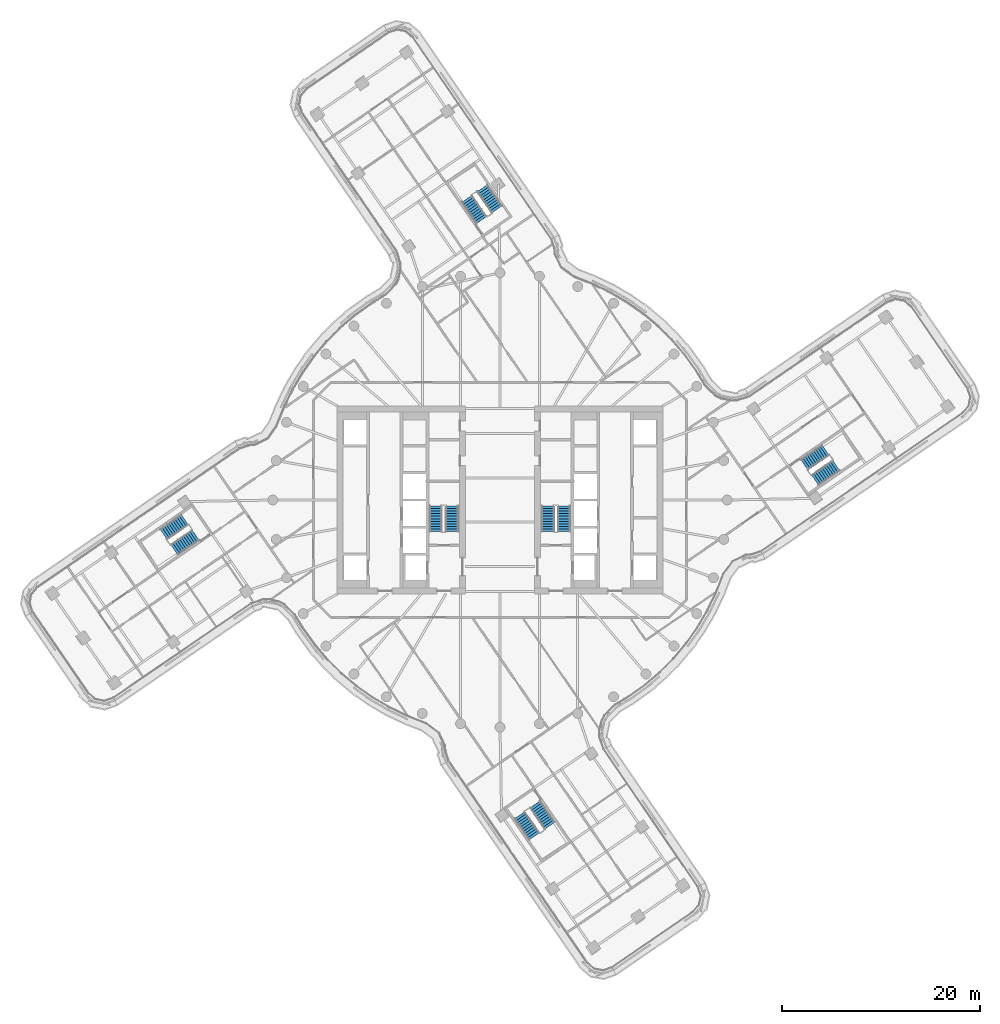
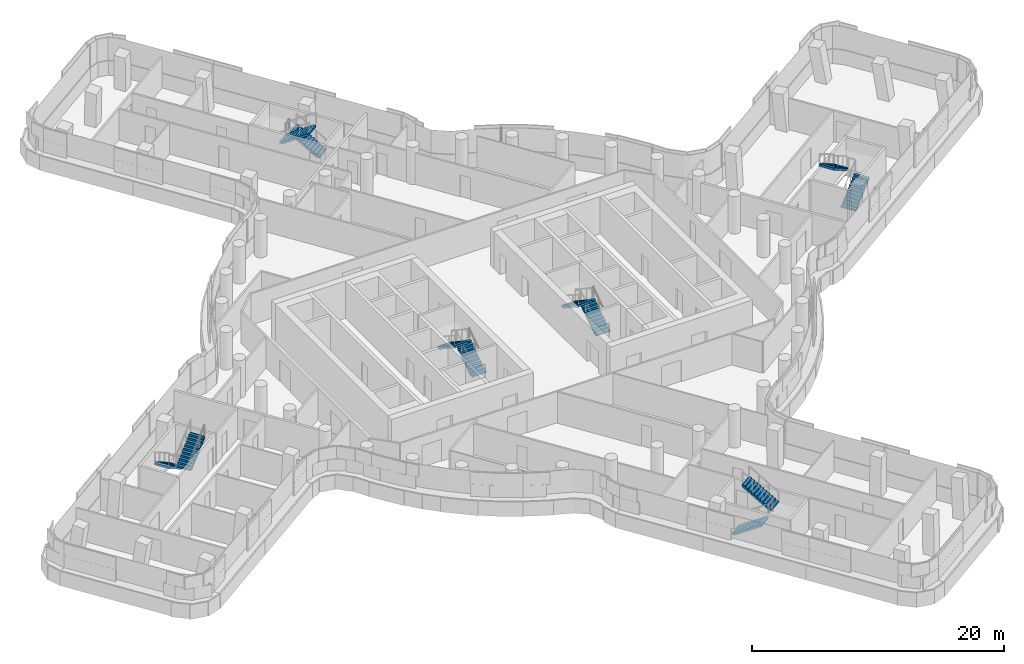
# One storey, part 26 of 33: 12 stair flights, 6 elements without a shape of their own.
"""IFC4 building model written with IfcOpenShell, lengths in metres."""

from ifc_helpers import new_model, si_unit, direction, frame, origin, place, context, subcontext, project, spatial, polyline, outline, extrude, material, type_object, element, aggregate, save


model = new_model("IFC4")

# Units and contexts
model_context = context("Model", 3, precision=1e-05, world=origin(), true_north=direction((0.0, 1.0)))
body_context = subcontext(model_context, "Body", "Model", "MODEL_VIEW")
ifc_project = project(units=[si_unit("LENGTHUNIT", "METRE"), si_unit("AREAUNIT", "SQUARE_METRE"), si_unit("VOLUMEUNIT", "CUBIC_METRE"), si_unit("PLANEANGLEUNIT", "RADIAN"), si_unit("MASSUNIT", "GRAM", prefix="KILO")], contexts=[model_context])

# Site, building, storey
site_placement = place(None, origin())
site = spatial("IfcSite", under=ifc_project, at=site_placement, CompositionType="ELEMENT")
building_placement = place(site_placement, origin())
building = spatial("IfcBuilding", under=site, at=building_placement, Name="Tamarind Cross Interchange Tower", CompositionType="ELEMENT")
storey_placement = place(building_placement, frame((0.0, 0.0, 159.25)))
storey = spatial("IfcBuildingStorey", under=building, at=storey_placement, Name="L39", CompositionType="ELEMENT", Elevation=159.25)

# Stair, stair flights
ifc_material_1 = material(Name="Exit stair")
stair_type = type_object("IfcStairType", Name="Exit stair", PredefinedType="HALF_TURN_STAIR", material=ifc_material_1)
stair_1_placement = place(storey_placement, origin())
stair_1 = element("IfcStair", 1, at=stair_1_placement, inside=storey, type_object=stair_type, Name="L39 exit stair ST1", PredefinedType="HALF_TURN_STAIR")
ifc_material_2 = material(Name="Exit stair flight")
stair_flight_type = type_object("IfcStairFlightType", Name="Exit stair flight", PredefinedType="STRAIGHT", material=ifc_material_2)
stair_flight_1_placement = place(storey_placement, frame((-4.85009765625, -3.199951171875, 0.0), z_axis=(0.0, 0.0, 1.0), x_axis=(0.0, 1.0, 0.0)))
stair_flight_1 = element("IfcStairFlight", 2, at=stair_flight_1_placement, type_object=stair_flight_type, Name="ST1 flight 1", NumberOfRisers=11, NumberOfTreads=10, PredefinedType="STRAIGHT", RiserHeight=0.170454545, TreadLength=0.26, context=body_context, shape_type="SweptSolid", body=[
    extrude(outline(polyline([(0.0, 0.0), (0.0, 0.17041015625), (0.260009765625, 0.17041015625), (0.260009765625, 0.3408203125), (0.52001953125, 0.3408203125), (0.52001953125, 0.511474609375), (0.780029296875, 0.511474609375), (0.780029296875, 0.681884765625), (1.0400390625, 0.681884765625), (1.0400390625, 0.852294921875), (1.300048828125, 0.852294921875), (1.300048828125, 1.022705078125), (1.56005859375, 1.022705078125), (1.56005859375, 1.193115234375), (1.820068359375, 1.193115234375), (1.820068359375, 1.363525390625), (2.080078125, 1.363525390625), (2.080078125, 1.5341796875), (2.340087890625, 1.5341796875), (2.340087890625, 1.70458984375), (2.60009765625, 1.70458984375), (2.60009765625, 1.875), (2.60009765625, 1.525390625), (0.2734375, 0.0), (0.0, 0.0)])), frame((0.0, 0.64990234375, 0.0), z_axis=(0.0, -1.0, 0.0), x_axis=(1.0, 0.0, 0.0)), (0.0, 0.0, 1.0), 1.300048828125),
])
stair_flight_2_placement = place(storey_placement, frame((-6.5, -0.60009765625, 1.875), z_axis=(0.0, 0.0, 1.0), x_axis=(0.0, -1.0, 0.0)))
stair_flight_2 = element("IfcStairFlight", 3, at=stair_flight_2_placement, type_object=stair_flight_type, Name="ST1 flight 2", NumberOfRisers=11, NumberOfTreads=10, PredefinedType="STRAIGHT", RiserHeight=0.170454545, TreadLength=0.26, context=body_context, shape_type="SweptSolid", body=[
    extrude(outline(polyline([(0.0, 0.0), (0.0, 0.17041015625), (0.260009765625, 0.17041015625), (0.260009765625, 0.3408203125), (0.52001953125, 0.3408203125), (0.52001953125, 0.511474609375), (0.780029296875, 0.511474609375), (0.780029296875, 0.681884765625), (1.0400390625, 0.681884765625), (1.0400390625, 0.852294921875), (1.300048828125, 0.852294921875), (1.300048828125, 1.022705078125), (1.56005859375, 1.022705078125), (1.56005859375, 1.193115234375), (1.820068359375, 1.193115234375), (1.820068359375, 1.363525390625), (2.080078125, 1.363525390625), (2.080078125, 1.5341796875), (2.340087890625, 1.5341796875), (2.340087890625, 1.70458984375), (2.60009765625, 1.70458984375), (2.60009765625, 1.7548828125), (2.612060546875, 1.7548828125), (2.612060546875, 1.533203125), (0.2734375, 0.0), (0.0, 0.0)])), frame((0.0, 0.64990234375, 0.0), z_axis=(0.0, -1.0, 0.0), x_axis=(1.0, 0.0, 0.0)), (0.0, 0.0, 1.0), 1.300048828125),
])
aggregate(stair_1, [stair_flight_1, stair_flight_2])

stair_2_placement = place(storey_placement, origin())
stair_2 = element("IfcStair", 4, at=stair_2_placement, inside=storey, type_object=stair_type, Name="L39 exit stair ST2", PredefinedType="HALF_TURN_STAIR")
stair_flight_3_placement = place(storey_placement, frame((6.5, -3.199951171875, 0.0), z_axis=(0.0, 0.0, 1.0), x_axis=(0.0, 1.0, 0.0)))
stair_flight_3 = element("IfcStairFlight", 5, at=stair_flight_3_placement, type_object=stair_flight_type, Name="ST2 flight 1", NumberOfRisers=11, NumberOfTreads=10, PredefinedType="STRAIGHT", RiserHeight=0.170454545, TreadLength=0.26, context=body_context, shape_type="SweptSolid", body=[
    extrude(outline(polyline([(0.0, 0.0), (0.0, 0.17041015625), (0.260009765625, 0.17041015625), (0.260009765625, 0.3408203125), (0.52001953125, 0.3408203125), (0.52001953125, 0.511474609375), (0.780029296875, 0.511474609375), (0.780029296875, 0.681884765625), (1.0400390625, 0.681884765625), (1.0400390625, 0.852294921875), (1.300048828125, 0.852294921875), (1.300048828125, 1.022705078125), (1.56005859375, 1.022705078125), (1.56005859375, 1.193115234375), (1.820068359375, 1.193115234375), (1.820068359375, 1.363525390625), (2.080078125, 1.363525390625), (2.080078125, 1.5341796875), (2.340087890625, 1.5341796875), (2.340087890625, 1.70458984375), (2.60009765625, 1.70458984375), (2.60009765625, 1.875), (2.60009765625, 1.525390625), (0.2734375, 0.0), (0.0, 0.0)])), frame((0.0, 0.64990234375, 0.0), z_axis=(0.0, -1.0, 0.0), x_axis=(1.0, 0.0, 0.0)), (0.0, 0.0, 1.0), 1.300048828125),
])
stair_flight_4_placement = place(storey_placement, frame((4.85009765625, -0.60009765625, 1.875), z_axis=(0.0, 0.0, 1.0), x_axis=(0.0, -1.0, 0.0)))
stair_flight_4 = element("IfcStairFlight", 6, at=stair_flight_4_placement, type_object=stair_flight_type, Name="ST2 flight 2", NumberOfRisers=11, NumberOfTreads=10, PredefinedType="STRAIGHT", RiserHeight=0.170454545, TreadLength=0.26, context=body_context, shape_type="SweptSolid", body=[
    extrude(outline(polyline([(0.0, 0.0), (0.0, 0.17041015625), (0.260009765625, 0.17041015625), (0.260009765625, 0.3408203125), (0.52001953125, 0.3408203125), (0.52001953125, 0.511474609375), (0.780029296875, 0.511474609375), (0.780029296875, 0.681884765625), (1.0400390625, 0.681884765625), (1.0400390625, 0.852294921875), (1.300048828125, 0.852294921875), (1.300048828125, 1.022705078125), (1.56005859375, 1.022705078125), (1.56005859375, 1.193115234375), (1.820068359375, 1.193115234375), (1.820068359375, 1.363525390625), (2.080078125, 1.363525390625), (2.080078125, 1.5341796875), (2.340087890625, 1.5341796875), (2.340087890625, 1.70458984375), (2.60009765625, 1.70458984375), (2.60009765625, 1.7548828125), (2.612060546875, 1.7548828125), (2.612060546875, 1.533203125), (0.2734375, 0.0), (0.0, 0.0)])), frame((0.0, 0.64990234375, 0.0), z_axis=(0.0, -1.0, 0.0), x_axis=(1.0, 0.0, 0.0)), (0.0, 0.0, 1.0), 1.300048828125),
])
aggregate(stair_2, [stair_flight_3, stair_flight_4])

stair_3_placement = place(storey_placement, origin())
stair_3 = element("IfcStair", 7, at=stair_3_placement, inside=storey, type_object=stair_type, Name="L39 exit stair ST3", PredefinedType="HALF_TURN_STAIR")
stair_flight_5_placement = place(storey_placement, frame((31.90234375, 2.008544921875, 0.0), z_axis=(0.0, 0.0, 1.0), x_axis=(0.824339660174, 0.566095508429, 0.0)))
stair_flight_5 = element("IfcStairFlight", 8, at=stair_flight_5_placement, type_object=stair_flight_type, Name="ST3 flight 1", NumberOfRisers=11, NumberOfTreads=10, PredefinedType="STRAIGHT", RiserHeight=0.170454545, TreadLength=0.26, context=body_context, shape_type="SweptSolid", body=[
    extrude(outline(polyline([(0.0, 0.0), (0.0, 0.17041015625), (0.260009765625, 0.17041015625), (0.260009765625, 0.3408203125), (0.52001953125, 0.3408203125), (0.52001953125, 0.511474609375), (0.780029296875, 0.511474609375), (0.780029296875, 0.681884765625), (1.0400390625, 0.681884765625), (1.0400390625, 0.852294921875), (1.300048828125, 0.852294921875), (1.300048828125, 1.022705078125), (1.56005859375, 1.022705078125), (1.56005859375, 1.193115234375), (1.820068359375, 1.193115234375), (1.820068359375, 1.363525390625), (2.080078125, 1.363525390625), (2.080078125, 1.5341796875), (2.340087890625, 1.5341796875), (2.340087890625, 1.70458984375), (2.60009765625, 1.70458984375), (2.60009765625, 1.875), (2.60009765625, 1.525390625), (0.2734375, 0.0), (0.0, 0.0)])), frame((0.0, 0.64990234375, 0.0), z_axis=(0.0, -1.0, 0.0), x_axis=(1.0, 0.0, 0.0)), (0.0, 0.0, 1.0), 1.300048828125),
])
stair_flight_6_placement = place(storey_placement, frame((32.97021484375, 5.046630859375, 1.875), z_axis=(0.0, 0.0, 1.0), x_axis=(-0.824339660174, -0.566095508429, 0.0)))
stair_flight_6 = element("IfcStairFlight", 9, at=stair_flight_6_placement, type_object=stair_flight_type, Name="ST3 flight 2", NumberOfRisers=11, NumberOfTreads=10, PredefinedType="STRAIGHT", RiserHeight=0.170454545, TreadLength=0.26, context=body_context, shape_type="SweptSolid", body=[
    extrude(outline(polyline([(0.0, 0.0), (0.0, 0.17041015625), (0.260009765625, 0.17041015625), (0.260009765625, 0.3408203125), (0.52001953125, 0.3408203125), (0.52001953125, 0.511474609375), (0.780029296875, 0.511474609375), (0.780029296875, 0.681884765625), (1.0400390625, 0.681884765625), (1.0400390625, 0.852294921875), (1.300048828125, 0.852294921875), (1.300048828125, 1.022705078125), (1.56005859375, 1.022705078125), (1.56005859375, 1.193115234375), (1.820068359375, 1.193115234375), (1.820068359375, 1.363525390625), (2.080078125, 1.363525390625), (2.080078125, 1.5341796875), (2.340087890625, 1.5341796875), (2.340087890625, 1.70458984375), (2.60009765625, 1.70458984375), (2.60009765625, 1.7548828125), (2.612060546875, 1.7548828125), (2.612060546875, 1.533203125), (0.2734375, 0.0), (0.0, 0.0)])), frame((0.0, 0.64990234375, 0.0), z_axis=(0.0, -1.0, 0.0), x_axis=(1.0, 0.0, 0.0)), (0.0, 0.0, 1.0), 1.300048828125),
])
aggregate(stair_3, [stair_flight_5, stair_flight_6])

stair_4_placement = place(storey_placement, origin())
stair_4 = element("IfcStair", 10, at=stair_4_placement, inside=storey, type_object=stair_type, Name="L39 exit stair ST4", PredefinedType="HALF_TURN_STAIR")
stair_flight_7_placement = place(storey_placement, frame((-0.310302734375, 29.429443359375, 0.0), z_axis=(0.0, 0.0, 1.0), x_axis=(-0.566095508429, 0.824339660174, 0.0)))
stair_flight_7 = element("IfcStairFlight", 11, at=stair_flight_7_placement, type_object=stair_flight_type, Name="ST4 flight 1", NumberOfRisers=11, NumberOfTreads=10, PredefinedType="STRAIGHT", RiserHeight=0.170454545, TreadLength=0.26, context=body_context, shape_type="SweptSolid", body=[
    extrude(outline(polyline([(0.0, 0.0), (0.0, 0.17041015625), (0.260009765625, 0.17041015625), (0.260009765625, 0.3408203125), (0.52001953125, 0.3408203125), (0.52001953125, 0.511474609375), (0.780029296875, 0.511474609375), (0.780029296875, 0.681884765625), (1.0400390625, 0.681884765625), (1.0400390625, 0.852294921875), (1.300048828125, 0.852294921875), (1.300048828125, 1.022705078125), (1.56005859375, 1.022705078125), (1.56005859375, 1.193115234375), (1.820068359375, 1.193115234375), (1.820068359375, 1.363525390625), (2.080078125, 1.363525390625), (2.080078125, 1.5341796875), (2.340087890625, 1.5341796875), (2.340087890625, 1.70458984375), (2.60009765625, 1.70458984375), (2.60009765625, 1.875), (2.60009765625, 1.525390625), (0.2734375, 0.0), (0.0, 0.0)])), frame((0.0, 0.64990234375, 0.0), z_axis=(0.0, -1.0, 0.0), x_axis=(1.0, 0.0, 0.0)), (0.0, 0.0, 1.0), 1.300048828125),
])
stair_flight_8_placement = place(storey_placement, frame((-3.348388671875, 30.4970703125, 1.875), z_axis=(0.0, 0.0, 1.0), x_axis=(0.566095508429, -0.824339660174, 0.0)))
stair_flight_8 = element("IfcStairFlight", 12, at=stair_flight_8_placement, type_object=stair_flight_type, Name="ST4 flight 2", NumberOfRisers=11, NumberOfTreads=10, PredefinedType="STRAIGHT", RiserHeight=0.170454545, TreadLength=0.26, context=body_context, shape_type="SweptSolid", body=[
    extrude(outline(polyline([(0.0, 0.0), (0.0, 0.17041015625), (0.260009765625, 0.17041015625), (0.260009765625, 0.3408203125), (0.52001953125, 0.3408203125), (0.52001953125, 0.511474609375), (0.780029296875, 0.511474609375), (0.780029296875, 0.681884765625), (1.0400390625, 0.681884765625), (1.0400390625, 0.852294921875), (1.300048828125, 0.852294921875), (1.300048828125, 1.022705078125), (1.56005859375, 1.022705078125), (1.56005859375, 1.193115234375), (1.820068359375, 1.193115234375), (1.820068359375, 1.363525390625), (2.080078125, 1.363525390625), (2.080078125, 1.5341796875), (2.340087890625, 1.5341796875), (2.340087890625, 1.70458984375), (2.60009765625, 1.70458984375), (2.60009765625, 1.7548828125), (2.612060546875, 1.7548828125), (2.612060546875, 1.533203125), (0.2734375, 0.0), (0.0, 0.0)])), frame((0.0, 0.64990234375, 0.0), z_axis=(0.0, -1.0, 0.0), x_axis=(1.0, 0.0, 0.0)), (0.0, 0.0, 1.0), 1.300048828125),
])
aggregate(stair_4, [stair_flight_7, stair_flight_8])

stair_5_placement = place(storey_placement, origin())
stair_5 = element("IfcStair", 13, at=stair_5_placement, inside=storey, type_object=stair_type, Name="L39 exit stair ST5", PredefinedType="HALF_TURN_STAIR")
stair_flight_9_placement = place(storey_placement, frame((-31.90234375, -2.008544921875, 0.0), z_axis=(0.0, 0.0, 1.0), x_axis=(-0.824339660174, -0.566095508429, 0.0)))
stair_flight_9 = element("IfcStairFlight", 14, at=stair_flight_9_placement, type_object=stair_flight_type, Name="ST5 flight 1", NumberOfRisers=11, NumberOfTreads=10, PredefinedType="STRAIGHT", RiserHeight=0.170454545, TreadLength=0.26, context=body_context, shape_type="SweptSolid", body=[
    extrude(outline(polyline([(0.0, 0.0), (0.0, 0.17041015625), (0.260009765625, 0.17041015625), (0.260009765625, 0.3408203125), (0.52001953125, 0.3408203125), (0.52001953125, 0.511474609375), (0.780029296875, 0.511474609375), (0.780029296875, 0.681884765625), (1.0400390625, 0.681884765625), (1.0400390625, 0.852294921875), (1.300048828125, 0.852294921875), (1.300048828125, 1.022705078125), (1.56005859375, 1.022705078125), (1.56005859375, 1.193115234375), (1.820068359375, 1.193115234375), (1.820068359375, 1.363525390625), (2.080078125, 1.363525390625), (2.080078125, 1.5341796875), (2.340087890625, 1.5341796875), (2.340087890625, 1.70458984375), (2.60009765625, 1.70458984375), (2.60009765625, 1.875), (2.60009765625, 1.525390625), (0.2734375, 0.0), (0.0, 0.0)])), frame((0.0, 0.64990234375, 0.0), z_axis=(0.0, -1.0, 0.0), x_axis=(1.0, 0.0, 0.0)), (0.0, 0.0, 1.0), 1.300048828125),
])
stair_flight_10_placement = place(storey_placement, frame((-32.97021484375, -5.046630859375, 1.875), z_axis=(0.0, 0.0, 1.0), x_axis=(0.824339660174, 0.566095508429, 0.0)))
stair_flight_10 = element("IfcStairFlight", 15, at=stair_flight_10_placement, type_object=stair_flight_type, Name="ST5 flight 2", NumberOfRisers=11, NumberOfTreads=10, PredefinedType="STRAIGHT", RiserHeight=0.170454545, TreadLength=0.26, context=body_context, shape_type="SweptSolid", body=[
    extrude(outline(polyline([(0.0, 0.0), (0.0, 0.17041015625), (0.260009765625, 0.17041015625), (0.260009765625, 0.3408203125), (0.52001953125, 0.3408203125), (0.52001953125, 0.511474609375), (0.780029296875, 0.511474609375), (0.780029296875, 0.681884765625), (1.0400390625, 0.681884765625), (1.0400390625, 0.852294921875), (1.300048828125, 0.852294921875), (1.300048828125, 1.022705078125), (1.56005859375, 1.022705078125), (1.56005859375, 1.193115234375), (1.820068359375, 1.193115234375), (1.820068359375, 1.363525390625), (2.080078125, 1.363525390625), (2.080078125, 1.5341796875), (2.340087890625, 1.5341796875), (2.340087890625, 1.70458984375), (2.60009765625, 1.70458984375), (2.60009765625, 1.7548828125), (2.612060546875, 1.7548828125), (2.612060546875, 1.533203125), (0.2734375, 0.0), (0.0, 0.0)])), frame((0.0, 0.64990234375, 0.0), z_axis=(0.0, -1.0, 0.0), x_axis=(1.0, 0.0, 0.0)), (0.0, 0.0, 1.0), 1.300048828125),
])
aggregate(stair_5, [stair_flight_9, stair_flight_10])

stair_6_placement = place(storey_placement, origin())
stair_6 = element("IfcStair", 16, at=stair_6_placement, inside=storey, type_object=stair_type, Name="L39 exit stair ST6", PredefinedType="HALF_TURN_STAIR")
stair_flight_11_placement = place(storey_placement, frame((2.008544921875, -31.90234375, 0.0), z_axis=(0.0, 0.0, 1.0), x_axis=(0.566095508429, -0.824339660174, 0.0)))
stair_flight_11 = element("IfcStairFlight", 17, at=stair_flight_11_placement, type_object=stair_flight_type, Name="ST6 flight 1", NumberOfRisers=11, NumberOfTreads=10, PredefinedType="STRAIGHT", RiserHeight=0.170454545, TreadLength=0.26, context=body_context, shape_type="SweptSolid", body=[
    extrude(outline(polyline([(0.0, 0.0), (0.0, 0.17041015625), (0.260009765625, 0.17041015625), (0.260009765625, 0.3408203125), (0.52001953125, 0.3408203125), (0.52001953125, 0.511474609375), (0.780029296875, 0.511474609375), (0.780029296875, 0.681884765625), (1.0400390625, 0.681884765625), (1.0400390625, 0.852294921875), (1.300048828125, 0.852294921875), (1.300048828125, 1.022705078125), (1.56005859375, 1.022705078125), (1.56005859375, 1.193115234375), (1.820068359375, 1.193115234375), (1.820068359375, 1.363525390625), (2.080078125, 1.363525390625), (2.080078125, 1.5341796875), (2.340087890625, 1.5341796875), (2.340087890625, 1.70458984375), (2.60009765625, 1.70458984375), (2.60009765625, 1.875), (2.60009765625, 1.525390625), (0.2734375, 0.0), (0.0, 0.0)])), frame((0.0, 0.64990234375, 0.0), z_axis=(0.0, -1.0, 0.0), x_axis=(1.0, 0.0, 0.0)), (0.0, 0.0, 1.0), 1.300048828125),
])
stair_flight_12_placement = place(storey_placement, frame((5.046630859375, -32.97021484375, 1.875), z_axis=(0.0, 0.0, 1.0), x_axis=(-0.566095508429, 0.824339660174, 0.0)))
stair_flight_12 = element("IfcStairFlight", 18, at=stair_flight_12_placement, type_object=stair_flight_type, Name="ST6 flight 2", NumberOfRisers=11, NumberOfTreads=10, PredefinedType="STRAIGHT", RiserHeight=0.170454545, TreadLength=0.26, context=body_context, shape_type="SweptSolid", body=[
    extrude(outline(polyline([(0.0, 0.0), (0.0, 0.17041015625), (0.260009765625, 0.17041015625), (0.260009765625, 0.3408203125), (0.52001953125, 0.3408203125), (0.52001953125, 0.511474609375), (0.780029296875, 0.511474609375), (0.780029296875, 0.681884765625), (1.0400390625, 0.681884765625), (1.0400390625, 0.852294921875), (1.300048828125, 0.852294921875), (1.300048828125, 1.022705078125), (1.56005859375, 1.022705078125), (1.56005859375, 1.193115234375), (1.820068359375, 1.193115234375), (1.820068359375, 1.363525390625), (2.080078125, 1.363525390625), (2.080078125, 1.5341796875), (2.340087890625, 1.5341796875), (2.340087890625, 1.70458984375), (2.60009765625, 1.70458984375), (2.60009765625, 1.7548828125), (2.612060546875, 1.7548828125), (2.612060546875, 1.533203125), (0.2734375, 0.0), (0.0, 0.0)])), frame((0.0, 0.64990234375, 0.0), z_axis=(0.0, -1.0, 0.0), x_axis=(1.0, 0.0, 0.0)), (0.0, 0.0, 1.0), 1.300048828125),
])
aggregate(stair_6, [stair_flight_11, stair_flight_12])

save(model, "model.ifc")
